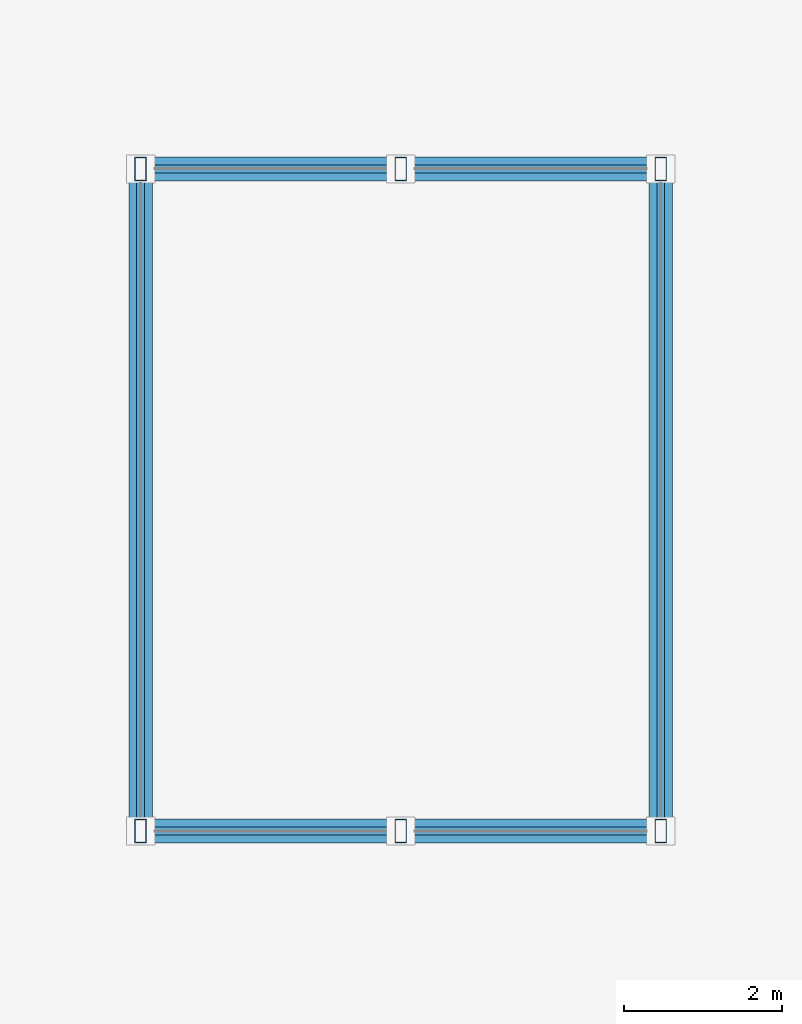
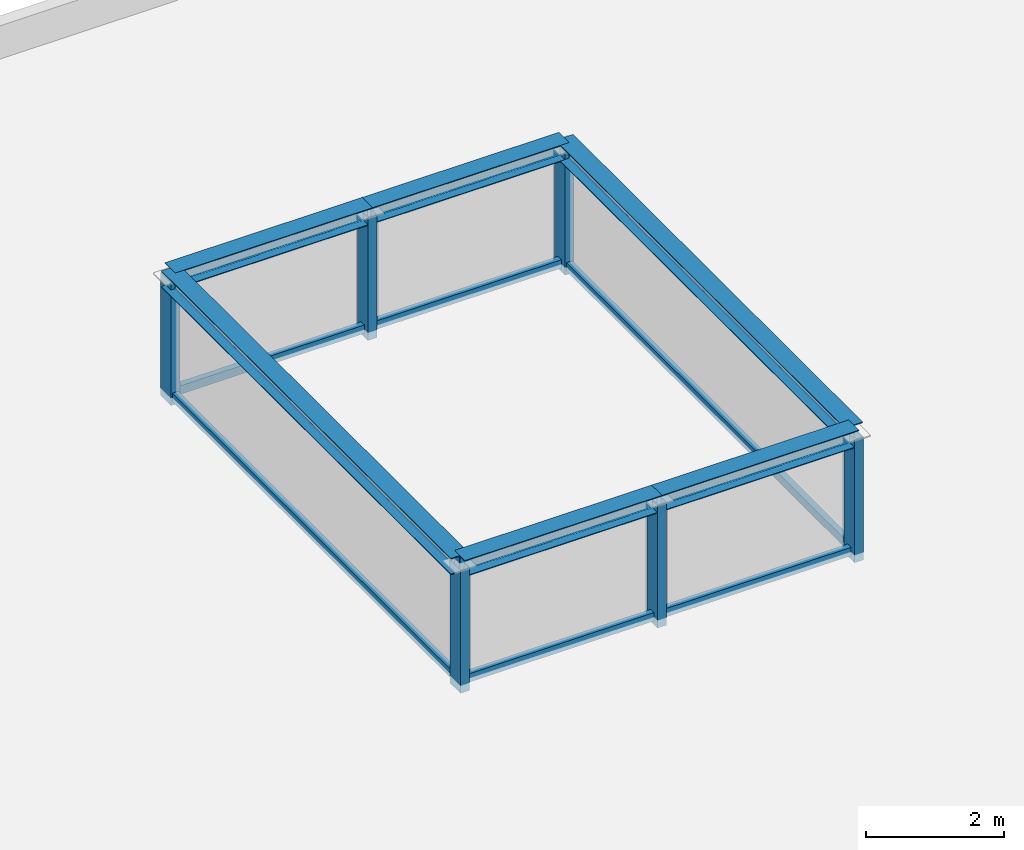
# One storey, part 2 of 14: 12 members, 6 beams.
"""IFC4 building model written with IfcOpenShell, lengths in metres."""

from ifc_helpers import new_model, si_unit, direction, frame, origin, origin_2d, place, context, subcontext, project, spatial, hollow_rectangle, i_section, extrude, material, material_profile, profile_set, type_object, element, save


model = new_model("IFC4")

# Units and contexts
model_context = context("Model", 3, precision=1e-05, world=origin(), true_north=direction((0.0, 1.0)))
body_context = subcontext(model_context, "Body", "Model", "MODEL_VIEW")
ifc_project = project(units=[si_unit("LENGTHUNIT", "METRE"), si_unit("AREAUNIT", "SQUARE_METRE"), si_unit("VOLUMEUNIT", "CUBIC_METRE"), si_unit("PLANEANGLEUNIT", "RADIAN"), si_unit("MASSUNIT", "GRAM", prefix="KILO")], contexts=[model_context])

# Site, building, storey
site_placement = place(None, origin())
site = spatial("IfcSite", under=ifc_project, at=site_placement, CompositionType="ELEMENT")
building_placement = place(site_placement, origin())
building = spatial("IfcBuilding", under=site, at=building_placement, Name="Kolvaren Faculty of Natural Sciences", CompositionType="ELEMENT")
storey_placement = place(building_placement, frame((0.0, 0.0, 28.5)))
storey = spatial("IfcBuildingStorey", under=building, at=storey_placement, Name="L06", CompositionType="ELEMENT", Elevation=28.5)

# Beams
ifc_material_1 = material(Name="Structural steel EN 10025-2 S355J2", Category="steel")
ifc_material_profile_1 = material_profile(ifc_material_1, i_section(OverallWidth=0.300048828125, OverallDepth=0.2900390625, WebThickness=0.008544921875, FlangeThickness=0.013916015625, FilletRadius=0.027099609375, at=origin_2d()), Name="HEA 300")
ifc_profile_set_1 = profile_set([ifc_material_profile_1], Name="Structural steel EN 10025-2 S355J2")
beam_type = type_object("IfcBeamType", Name="PlantFrameBeam_HEA300", PredefinedType="BEAM", material=ifc_profile_set_1)
for number, where, z_axis, x_axis, name in (
    (1, (20.0, 25.39990234375, 2.179931640625), (1.0, 0.0, 0.0), (0.0, 1.0, 0.0), "Rooftop plant screen header beam 1"),
    (2, (23.300048828125, 25.39990234375, 2.179931640625), (1.0, 0.0, 0.0), (0.0, 1.0, 0.0), "Rooftop plant screen header beam 2"),
):
    element("IfcBeam", number, at=place(storey_placement, frame(where, z_axis=z_axis, x_axis=x_axis)), inside=storey, type_object=beam_type, Name=name, PredefinedType="BEAM", context=body_context, shape_type="SweptSolid", body=[
        extrude(i_section(OverallWidth=0.300048828125, OverallDepth=0.2900390625, WebThickness=0.008544921875, FlangeThickness=0.013916015625, FilletRadius=0.027099609375, at=origin_2d()), origin(), (0.0, 0.0, 1.0), 3.300048828125),
    ])
beam_1_placement = place(storey_placement, frame((26.60009765625, 25.39990234375, 2.179931640625), z_axis=(0.0, 1.0, 0.0), x_axis=(-1.0, 0.0, 0.0)))
element("IfcBeam", 3, at=beam_1_placement, inside=storey, type_object=beam_type, Name="Rooftop plant screen header beam 3", PredefinedType="BEAM", context=body_context, shape_type="SweptSolid", body=[
    extrude(i_section(OverallWidth=0.300048828125, OverallDepth=0.2900390625, WebThickness=0.008544921875, FlangeThickness=0.013916015625, FilletRadius=0.027099609375, at=origin_2d()), origin(), (0.0, 0.0, 1.0), 8.400146484375),
])
for number, where, z_axis, x_axis, name in (
    (4, (26.60009765625, 33.800048828125, 2.179931640625), (-1.0, 0.0, 0.0), (0.0, -1.0, 0.0), "Rooftop plant screen header beam 4"),
    (5, (23.300048828125, 33.800048828125, 2.179931640625), (-1.0, 0.0, 0.0), (0.0, -1.0, 0.0), "Rooftop plant screen header beam 5"),
):
    element("IfcBeam", number, at=place(storey_placement, frame(where, z_axis=z_axis, x_axis=x_axis)), inside=storey, type_object=beam_type, Name=name, PredefinedType="BEAM", context=body_context, shape_type="SweptSolid", body=[
        extrude(i_section(OverallWidth=0.300048828125, OverallDepth=0.2900390625, WebThickness=0.008544921875, FlangeThickness=0.013916015625, FilletRadius=0.027099609375, at=origin_2d()), origin(), (0.0, 0.0, 1.0), 3.300048828125),
    ])
beam_2_placement = place(storey_placement, frame((20.0, 33.800048828125, 2.179931640625), z_axis=(0.0, -1.0, 0.0), x_axis=(1.0, 0.0, 0.0)))
element("IfcBeam", 6, at=beam_2_placement, inside=storey, type_object=beam_type, Name="Rooftop plant screen header beam 6", PredefinedType="BEAM", context=body_context, shape_type="SweptSolid", body=[
    extrude(i_section(OverallWidth=0.300048828125, OverallDepth=0.2900390625, WebThickness=0.008544921875, FlangeThickness=0.013916015625, FilletRadius=0.027099609375, at=origin_2d()), origin(), (0.0, 0.0, 1.0), 8.400146484375),
])

# Members
ifc_material_2 = material(Name="Structural steel EN 10210-1 S355J2H", Category="steel")
ifc_material_profile_2 = material_profile(ifc_material_2, hollow_rectangle(XDim=0.14990234375, YDim=0.300048828125, WallThickness=0.010009765625, at=origin_2d()), Name="RHS 300x150x10")
ifc_profile_set_2 = profile_set([ifc_material_profile_2], Name="Structural steel EN 10210-1 S355J2H")
member_type_1 = type_object("IfcMemberType", Name="RoofSupportKingPost_RHS300", PredefinedType="POST", material=ifc_profile_set_2)
for number, where, z_axis, x_axis, name in (
    (7, (20.0, 25.39990234375, 0.0), (0.0, 0.0, 1.0), (1.0, 0.0, 0.0), "Rooftop acoustic plant screen steel post 1"),
    (8, (23.300048828125, 25.39990234375, 0.0), (0.0, 0.0, 1.0), (1.0, 0.0, 0.0), "Rooftop acoustic plant screen steel post 2"),
    (9, (26.60009765625, 25.39990234375, 0.0), (0.0, 0.0, 1.0), (1.0, 0.0, 0.0), "Rooftop acoustic plant screen steel post 3"),
    (10, (26.60009765625, 33.800048828125, 0.0), (0.0, 0.0, 1.0), (1.0, 0.0, 0.0), "Rooftop acoustic plant screen steel post 4"),
    (11, (23.300048828125, 33.800048828125, 0.0), (0.0, 0.0, 1.0), (1.0, 0.0, 0.0), "Rooftop acoustic plant screen steel post 5"),
    (12, (20.0, 33.800048828125, 0.0), (0.0, 0.0, 1.0), (1.0, 0.0, 0.0), "Rooftop acoustic plant screen steel post 6"),
):
    element("IfcMember", number, at=place(storey_placement, frame(where, z_axis=z_axis, x_axis=x_axis)), inside=storey, type_object=member_type_1, Name=name, PredefinedType="POST", context=body_context, shape_type="SweptSolid", body=[
        extrude(hollow_rectangle(XDim=0.14990234375, YDim=0.300048828125, WallThickness=0.010009765625, at=origin_2d()), origin(), (0.0, 0.0, 1.0), 2.179931640625),
    ])
ifc_material_profile_3 = material_profile(ifc_material_2, hollow_rectangle(XDim=0.10009765625, YDim=0.14990234375, WallThickness=0.00634765625, at=origin_2d()), Name="RHS 150x100x6.3")
ifc_profile_set_3 = profile_set([ifc_material_profile_3], Name="Structural steel EN 10210-1 S355J2H")
member_type_2 = type_object("IfcMemberType", Name="ScreenRailMember_RHS150", PredefinedType="MEMBER", material=ifc_profile_set_3)
for number, where, z_axis, x_axis, name in (
    (13, (20.0, 25.39990234375, 0.139892578125), (1.0, 0.0, 0.0), (0.0, 1.0, 0.0), "Rooftop plant screen bottom rail 1"),
    (14, (23.300048828125, 25.39990234375, 0.139892578125), (1.0, 0.0, 0.0), (0.0, 1.0, 0.0), "Rooftop plant screen bottom rail 2"),
):
    element("IfcMember", number, at=place(storey_placement, frame(where, z_axis=z_axis, x_axis=x_axis)), inside=storey, type_object=member_type_2, Name=name, PredefinedType="MEMBER", context=body_context, shape_type="SweptSolid", body=[
        extrude(hollow_rectangle(XDim=0.10009765625, YDim=0.14990234375, WallThickness=0.00634765625, at=origin_2d()), origin(), (0.0, 0.0, 1.0), 3.300048828125),
    ])
member_1_placement = place(storey_placement, frame((26.60009765625, 25.39990234375, 0.139892578125), z_axis=(0.0, 1.0, 0.0), x_axis=(-1.0, 0.0, 0.0)))
element("IfcMember", 15, at=member_1_placement, inside=storey, type_object=member_type_2, Name="Rooftop plant screen bottom rail 3", PredefinedType="MEMBER", context=body_context, shape_type="SweptSolid", body=[
    extrude(hollow_rectangle(XDim=0.10009765625, YDim=0.14990234375, WallThickness=0.00634765625, at=origin_2d()), origin(), (0.0, 0.0, 1.0), 8.400146484375),
])
for number, where, z_axis, x_axis, name in (
    (16, (26.60009765625, 33.800048828125, 0.139892578125), (-1.0, 0.0, 0.0), (0.0, -1.0, 0.0), "Rooftop plant screen bottom rail 4"),
    (17, (23.300048828125, 33.800048828125, 0.139892578125), (-1.0, 0.0, 0.0), (0.0, -1.0, 0.0), "Rooftop plant screen bottom rail 5"),
):
    element("IfcMember", number, at=place(storey_placement, frame(where, z_axis=z_axis, x_axis=x_axis)), inside=storey, type_object=member_type_2, Name=name, PredefinedType="MEMBER", context=body_context, shape_type="SweptSolid", body=[
        extrude(hollow_rectangle(XDim=0.10009765625, YDim=0.14990234375, WallThickness=0.00634765625, at=origin_2d()), origin(), (0.0, 0.0, 1.0), 3.300048828125),
    ])
member_2_placement = place(storey_placement, frame((20.0, 33.800048828125, 0.139892578125), z_axis=(0.0, -1.0, 0.0), x_axis=(1.0, 0.0, 0.0)))
element("IfcMember", 18, at=member_2_placement, inside=storey, type_object=member_type_2, Name="Rooftop plant screen bottom rail 6", PredefinedType="MEMBER", context=body_context, shape_type="SweptSolid", body=[
    extrude(hollow_rectangle(XDim=0.10009765625, YDim=0.14990234375, WallThickness=0.00634765625, at=origin_2d()), origin(), (0.0, 0.0, 1.0), 8.400146484375),
])

save(model, "model.ifc")
